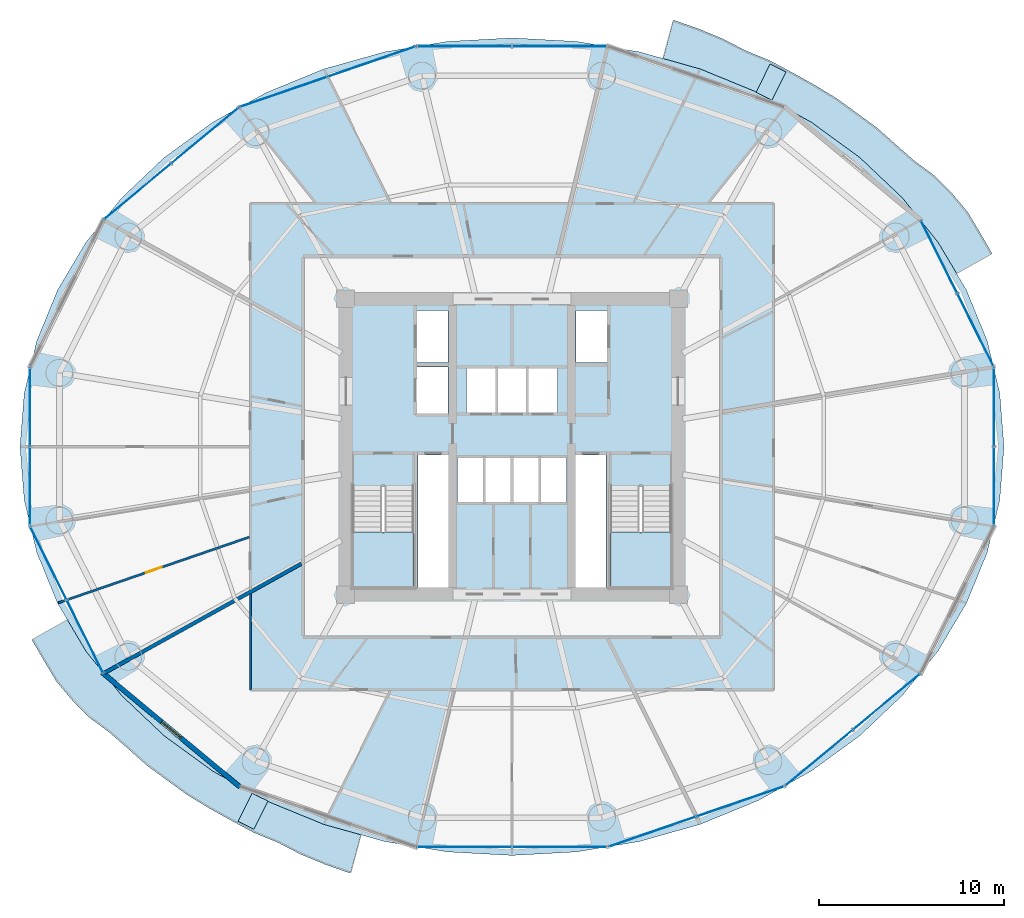
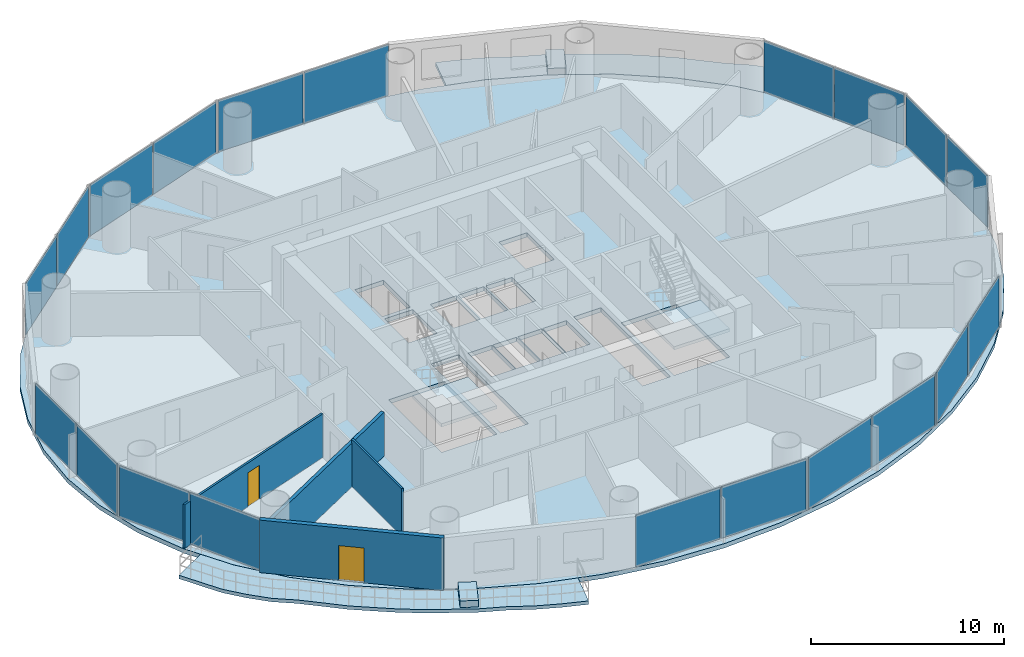
# One storey, part 20 of 28: 20 plates, 7 slabs, 4 walls, 2 doors, 2 openings, 12 elements without a shape of their own.
"""IFC4 building model written with IfcOpenShell, lengths in metres."""

from ifc_helpers import new_model, si_unit, direction, frame, frame_2d, origin, origin_2d, place, context, subcontext, project, spatial, polyline, rectangle, outline, extrude, source, transform, mapped, material, layer, layer_set, type_object, element, fill, aggregate, save


model = new_model("IFC4")

# Units and contexts
model_context = context("Model", 3, precision=1e-05, world=origin(), true_north=direction((-0.2419218956, 0.970295726276)))
body_context = subcontext(model_context, "Body", "Model", "MODEL_VIEW")
ifc_project = project(units=[si_unit("LENGTHUNIT", "METRE"), si_unit("AREAUNIT", "SQUARE_METRE"), si_unit("VOLUMEUNIT", "CUBIC_METRE"), si_unit("PLANEANGLEUNIT", "RADIAN"), si_unit("MASSUNIT", "GRAM", prefix="KILO")], contexts=[model_context])

# Site, building, storey
site_placement = place(None, origin())
site = spatial("IfcSite", under=ifc_project, at=site_placement, CompositionType="ELEMENT")
building_placement = place(site_placement, origin())
building = spatial("IfcBuilding", under=site, at=building_placement, Name="Cobrevalo Terracotta Tower", CompositionType="ELEMENT")
storey_placement = place(building_placement, frame((0.0, 0.0, 101.39990234375)))
storey = spatial("IfcBuildingStorey", under=building, at=storey_placement, Name="L26", CompositionType="ELEMENT", Elevation=101.39990234375)

# Stair, slab
ifc_material_1 = material(Name="Concrete C50", Category="concrete")
stair_type = type_object("IfcStairType", Name="Core protected escape dogleg stair 1600", PredefinedType="HALF_TURN_STAIR", material=ifc_material_1)
stair_1_placement = place(storey_placement, origin())
stair_1 = element("IfcStair", 1, at=stair_1_placement, inside=storey, type_object=stair_type, Name="L26 Protected exit stair ST-1", PredefinedType="HALF_TURN_STAIR")
ifc_layer_1 = layer(ifc_material_1, 0.199951171875)
ifc_layer_set_1 = layer_set([ifc_layer_1], Name="Concrete C50")
slab_type_1 = type_object("IfcSlabType", Name="Reinforced Concrete Stair Landing 200", PredefinedType="LANDING", material=ifc_layer_set_1)
slab_1_placement = place(storey_placement, frame((0.0, 0.0, 1.60009765625)))
slab_1 = element("IfcSlab", 2, at=slab_1_placement, type_object=slab_type_1, Name="ST-1 landing 1", PredefinedType="LANDING", context=body_context, shape_type="SweptSolid", body=[
    extrude(outline(polyline([(29.375, 22.179931640625), (29.375, 19.175048828125), (32.695068359375, 19.175048828125), (32.695068359375, 22.179931640625), (29.375, 22.179931640625)])), origin(), (0.0, 0.0, 1.0), 0.199951171875),
])
aggregate(stair_1, [slab_1])

stair_2_placement = place(storey_placement, origin())
stair_2 = element("IfcStair", 3, at=stair_2_placement, inside=storey, type_object=stair_type, Name="L26 Protected exit stair ST-2", PredefinedType="HALF_TURN_STAIR")
slab_2_placement = place(storey_placement, frame((0.0, 0.0, 1.60009765625)))
slab_2 = element("IfcSlab", 4, at=slab_2_placement, type_object=slab_type_1, Name="ST-2 landing 1", PredefinedType="LANDING", context=body_context, shape_type="SweptSolid", body=[
    extrude(outline(polyline([(43.304931640625, 22.179931640625), (43.304931640625, 19.175048828125), (46.625, 19.175048828125), (46.625, 22.179931640625), (43.304931640625, 22.179931640625)])), origin(), (0.0, 0.0, 1.0), 0.199951171875),
])
aggregate(stair_2, [slab_2])

# Slabs
ifc_material_2 = material(Name="Concrete C45", Category="concrete")
ifc_layer_2 = layer(ifc_material_2, 0.219970703125)
ifc_layer_set_2 = layer_set([ifc_layer_2], Name="Concrete C45")
slab_type_2 = type_object("IfcSlabType", Name="Spiralling cantilevered balcony lobe slab 220 mm", PredefinedType="FLOOR", material=ifc_layer_set_2)
slab_3_placement = place(storey_placement, frame((0.0, 0.0, -0.219970703125)))
element("IfcSlab", 5, at=slab_3_placement, inside=storey, type_object=slab_type_2, Name="L26 spiralling arc balcony slab lobe 1", PredefinedType="FLOOR", context=body_context, shape_type="SweptSolid", body=[
    extrude(outline(polyline([(63.964599609375, 37.22998046875), (63.310546875, 38.36083984375), (62.634033203125, 39.487060546875), (61.777099609375, 40.507568359375), (60.842529296875, 41.451171875), (59.752685546875, 42.255859375), (58.748779296875, 43.136962890625), (57.75146484375, 44.026123046875), (56.654052734375, 44.828857421875), (55.55517578125, 45.627197265625), (54.38330078125, 46.342529296875), (53.174072265625, 47.014404296875), (51.9541015625, 47.66748046875), (50.654541015625, 48.202880859375), (49.397705078125, 48.8515625), (48.082275390625, 49.3935546875), (46.72705078125, 49.868408203125), (46.16796875, 47.787109375), (48.18017578125, 47.219482421875), (51.301025390625, 45.94091796875), (54.1943359375, 44.334716796875), (56.810546875, 42.428466796875), (59.104736328125, 40.2548828125), (61.0380859375, 37.85107421875), (62.047607421875, 36.150146484375), (63.964599609375, 37.22998046875)])), origin(), (0.0, 0.0, 1.0), 0.219970703125),
])
slab_4_placement = place(storey_placement, frame((0.0, 0.0, -0.219970703125)))
element("IfcSlab", 6, at=slab_4_placement, inside=storey, type_object=slab_type_2, Name="L26 spiralling arc balcony slab lobe 2", PredefinedType="FLOOR", context=body_context, shape_type="SweptSolid", body=[
    extrude(outline(polyline([(12.035400390625, 16.369873046875), (12.689453125, 15.2392578125), (13.365966796875, 14.11279296875), (14.222900390625, 13.09228515625), (15.157470703125, 12.14892578125), (16.247314453125, 11.343994140625), (17.251220703125, 10.463134765625), (18.24853515625, 9.57373046875), (19.345947265625, 8.77099609375), (20.44482421875, 7.972900390625), (21.61669921875, 7.25732421875), (22.825927734375, 6.585693359375), (24.0458984375, 5.932373046875), (25.345458984375, 5.397216796875), (26.602294921875, 4.748291015625), (27.917724609375, 4.206298828125), (29.27294921875, 3.731689453125), (29.83203125, 5.81298828125), (27.81982421875, 6.38037109375), (24.698974609375, 7.6591796875), (21.8056640625, 9.265380859375), (19.189453125, 11.171630859375), (16.895263671875, 13.34521484375), (14.9619140625, 15.7490234375), (13.952392578125, 17.449951171875), (12.035400390625, 16.369873046875)])), origin(), (0.0, 0.0, 1.0), 0.219970703125),
])
ifc_material_3 = material(Name="Precast concrete C45", Category="concrete")
ifc_layer_3 = layer(ifc_material_3, 0.419921875)
ifc_layer_set_3 = layer_set([ifc_layer_3], Name="Precast concrete C45")
slab_type_3 = type_object("IfcSlabType", Name="Structural tree planter trough base 420 mm", PredefinedType="USERDEFINED", material=ifc_layer_set_3)
slab_5_placement = place(storey_placement, origin())
element("IfcSlab", 7, at=slab_5_placement, inside=storey, type_object=slab_type_3, Name="L26 structural tree planter trough 1", ObjectType="PLANTER", PredefinedType="USERDEFINED", context=body_context, shape_type="SweptSolid", body=[
    extrude(outline(polyline([(52.054931640625, 45.533935546875), (52.810546875, 47.056884765625), (51.950439453125, 47.4833984375), (51.195068359375, 45.960693359375), (52.054931640625, 45.533935546875)])), origin(), (0.0, 0.0, 1.0), 0.420166015625),
])
slab_6_placement = place(storey_placement, origin())
element("IfcSlab", 8, at=slab_6_placement, inside=storey, type_object=slab_type_3, Name="L26 structural tree planter trough 2", ObjectType="PLANTER", PredefinedType="USERDEFINED", context=body_context, shape_type="SweptSolid", body=[
    extrude(outline(polyline([(23.945068359375, 8.066162109375), (23.189453125, 6.543212890625), (24.049560546875, 6.116455078125), (24.804931640625, 7.639404296875), (23.945068359375, 8.066162109375)])), origin(), (0.0, 0.0, 1.0), 0.420166015625),
])
ifc_layer_4 = layer(ifc_material_1, 0.27490234375)
ifc_layer_set_4 = layer_set([ifc_layer_4], Name="Concrete C50")
slab_type_4 = type_object("IfcSlabType", Name="Zone Z2 elliptical floor plate 275 mm", PredefinedType="FLOOR", material=ifc_layer_set_4)
slab_7_placement = place(storey_placement, frame((0.0, 0.0, -0.27490234375)))
element("IfcSlab", 9, at=slab_7_placement, inside=storey, type_object=slab_type_4, Name="L26 indoor elliptical floor slab", PredefinedType="FLOOR", context=body_context, shape_type="SweptSolid", body=[
    extrude(outline(polyline([(64.372314453125, 23.915283203125), (63.693603515625, 21.080078125), (62.5751953125, 18.3427734375), (61.036376953125, 15.75), (59.103271484375, 13.346435546875), (56.80908203125, 11.1728515625), (54.193115234375, 9.266845703125), (51.300048828125, 7.660888671875), (48.179443359375, 6.38232421875), (44.884521484375, 5.453125), (41.471923828125, 4.88916015625), (38.0, 4.699951171875), (34.528076171875, 4.88916015625), (31.115478515625, 5.453125), (27.820556640625, 6.38232421875), (24.699951171875, 7.660888671875), (21.806884765625, 9.266845703125), (19.19091796875, 11.1728515625), (16.896728515625, 13.346435546875), (14.963623046875, 15.75), (13.4248046875, 18.3427734375), (12.306396484375, 21.080078125), (11.627685546875, 23.915283203125), (11.39990234375, 26.800048828125), (11.627685546875, 29.6845703125), (12.306396484375, 32.52001953125), (13.4248046875, 35.25732421875), (14.963623046875, 37.85009765625), (16.896728515625, 40.253662109375), (19.19091796875, 42.427001953125), (21.806884765625, 44.3330078125), (24.699951171875, 45.939208984375), (27.820556640625, 47.2177734375), (31.115478515625, 48.14697265625), (34.528076171875, 48.7109375), (38.0, 48.89990234375), (41.471923828125, 48.7109375), (44.884521484375, 48.14697265625), (48.179443359375, 47.2177734375), (51.300048828125, 45.939208984375), (54.193115234375, 44.3330078125), (56.80908203125, 42.427001953125), (59.103271484375, 40.253662109375), (61.036376953125, 37.85009765625), (62.5751953125, 35.25732421875), (63.693603515625, 32.52001953125), (64.372314453125, 29.6845703125), (64.60009765625, 26.800048828125), (64.372314453125, 23.915283203125)]), holes=[polyline([(32.695068359375, 19.175048828125), (32.695068359375, 24.659912109375), (29.375, 24.659912109375), (29.375, 19.175048828125), (32.695068359375, 19.175048828125)]), polyline([(34.574951171875, 19.175048828125), (34.574951171875, 26.360107421875), (32.919921875, 26.360107421875), (32.919921875, 19.175048828125), (34.574951171875, 19.175048828125)]), polyline([(36.47998046875, 23.800048828125), (36.47998046875, 26.25), (35.050048828125, 26.25), (35.050048828125, 23.800048828125), (36.47998046875, 23.800048828125)]), polyline([(37.9599609375, 23.800048828125), (37.9599609375, 26.25), (36.530029296875, 26.25), (36.530029296875, 23.800048828125), (37.9599609375, 23.800048828125)]), polyline([(37.1201171875, 28.60009765625), (37.1201171875, 31.050048828125), (35.550048828125, 31.050048828125), (35.550048828125, 28.60009765625), (37.1201171875, 28.60009765625)]), polyline([(34.550048828125, 28.60009765625), (34.550048828125, 31.10009765625), (32.85009765625, 31.10009765625), (32.85009765625, 28.60009765625), (34.550048828125, 28.60009765625)]), polyline([(34.550048828125, 31.35009765625), (34.550048828125, 34.14990234375), (32.85009765625, 34.14990234375), (32.85009765625, 31.35009765625), (34.550048828125, 31.35009765625)]), polyline([(46.625, 19.175048828125), (46.625, 24.659912109375), (43.304931640625, 24.659912109375), (43.304931640625, 19.175048828125), (46.625, 19.175048828125)]), polyline([(43.080078125, 19.175048828125), (43.080078125, 26.360107421875), (41.425048828125, 26.360107421875), (41.425048828125, 19.175048828125), (43.080078125, 19.175048828125)]), polyline([(39.469970703125, 23.800048828125), (39.469970703125, 26.25), (38.0400390625, 26.25), (38.0400390625, 23.800048828125), (39.469970703125, 23.800048828125)]), polyline([(40.949951171875, 23.800048828125), (40.949951171875, 26.25), (39.52001953125, 26.25), (39.52001953125, 23.800048828125), (40.949951171875, 23.800048828125)]), polyline([(38.780029296875, 28.60009765625), (38.780029296875, 31.050048828125), (37.219970703125, 31.050048828125), (37.219970703125, 28.60009765625), (38.780029296875, 28.60009765625)]), polyline([(40.449951171875, 28.60009765625), (40.449951171875, 31.050048828125), (38.8798828125, 31.050048828125), (38.8798828125, 28.60009765625), (40.449951171875, 28.60009765625)]), polyline([(43.14990234375, 31.35009765625), (43.14990234375, 34.14990234375), (41.449951171875, 34.14990234375), (41.449951171875, 31.35009765625), (43.14990234375, 31.35009765625)])]), origin(), (0.0, 0.0, 1.0), 0.27490234375),
])

# Curtain wall, plates
ifc_material_4 = material(Name="Anodized aluminium", Category="aluminium")
curtain_wall_type = type_object("IfcCurtainWallType", Name="Lower-tower unitised acoustic low-E curtain wall CW-U1", PredefinedType="NOTDEFINED", material=ifc_material_4)
curtain_wall_1_placement = place(storey_placement, origin())
curtain_wall_1 = element("IfcCurtainWall", 10, at=curtain_wall_1_placement, inside=storey, type_object=curtain_wall_type, Name="L26 curtain wall CW-L26-S05", PredefinedType="NOTDEFINED")
ifc_material_5 = material(Name="Solar-control low-E double glazing", Category="glass")
ifc_layer_5 = layer(ifc_material_5, 0.028076171875)
ifc_layer_set_5 = layer_set([ifc_layer_5], Name="Solar-control low-E double glazing")
plate_type = type_object("IfcPlateType", Name="Tower solar-control low-E vision glass panel 28 mm", PredefinedType="CURTAIN_PANEL", material=ifc_layer_set_5)
shared_shape_1 = source(origin(), body_context, "Body", "SweptSolid", [
    extrude(rectangle(XDim=4.944580078125, YDim=0.035888671875, at=origin_2d()), origin(), (0.0, 0.0, 1.0), 3.2451171875),
])
plate_1_placement = place(storey_placement, frame((30.403076171875, 47.615478515625, 0.0400390625), z_axis=(0.0, 0.0, 1.0), x_axis=(-0.945596395206, -0.325342062104, 0.0)))
plate_1 = element("IfcPlate", 11, at=plate_1_placement, type_object=plate_type, Name="CW-L26-S05 glazing panel B01", PredefinedType="CURTAIN_PANEL", context=body_context, shape_type="MappedRepresentation", body=[
    mapped(shared_shape_1, transform((0.0, 0.0, 0.0), scale=1.0)),
])
plate_2_placement = place(storey_placement, frame((25.65185546875, 45.98095703125, 0.0400390625), z_axis=(0.0, 0.0, 1.0), x_axis=(-0.945596395206, -0.325342062104, 0.0)))
plate_2 = element("IfcPlate", 12, at=plate_2_placement, type_object=plate_type, Name="CW-L26-S05 glazing panel B02", PredefinedType="CURTAIN_PANEL", context=body_context, shape_type="MappedRepresentation", body=[
    mapped(shared_shape_1, transform((0.0, 0.0, 0.0), scale=1.0)),
])
aggregate(curtain_wall_1, [plate_1, plate_2])

curtain_wall_2_placement = place(storey_placement, origin())
curtain_wall_2 = element("IfcCurtainWall", 13, at=curtain_wall_2_placement, inside=storey, type_object=curtain_wall_type, Name="L26 curtain wall CW-L26-S13", PredefinedType="NOTDEFINED")
plate_3_placement = place(storey_placement, frame((45.596923828125, 5.984375, 0.0400390625), z_axis=(0.0, 0.0, 1.0), x_axis=(0.945596395206, 0.325342062104, 0.0)))
plate_3 = element("IfcPlate", 14, at=plate_3_placement, type_object=plate_type, Name="CW-L26-S13 glazing panel B01", PredefinedType="CURTAIN_PANEL", context=body_context, shape_type="MappedRepresentation", body=[
    mapped(shared_shape_1, transform((0.0, 0.0, 0.0), scale=1.0)),
])
plate_4_placement = place(storey_placement, frame((50.34814453125, 7.619140625, 0.0400390625), z_axis=(0.0, 0.0, 1.0), x_axis=(0.945596395206, 0.325342062104, 0.0)))
plate_4 = element("IfcPlate", 15, at=plate_4_placement, type_object=plate_type, Name="CW-L26-S13 glazing panel B02", PredefinedType="CURTAIN_PANEL", context=body_context, shape_type="MappedRepresentation", body=[
    mapped(shared_shape_1, transform((0.0, 0.0, 0.0), scale=1.0)),
])
aggregate(curtain_wall_2, [plate_3, plate_4])

curtain_wall_3_placement = place(storey_placement, origin())
curtain_wall_3 = element("IfcCurtainWall", 16, at=curtain_wall_3_placement, inside=storey, type_object=curtain_wall_type, Name="L26 curtain wall CW-L26-S04", PredefinedType="NOTDEFINED")
shared_shape_2 = source(origin(), body_context, "Body", "SweptSolid", [
    extrude(rectangle(XDim=5.0634765625, YDim=0.035888671875, at=origin_2d()), origin(), (0.0, 0.0, 1.0), 3.2451171875),
])
plate_5_placement = place(storey_placement, frame((40.57177734375, 48.446044921875, 0.0400390625), z_axis=(0.0, 0.0, 1.0), x_axis=(-1.0, 0.0, 0.0)))
plate_5 = element("IfcPlate", 17, at=plate_5_placement, type_object=plate_type, Name="CW-L26-S04 glazing panel B01", PredefinedType="CURTAIN_PANEL", context=body_context, shape_type="MappedRepresentation", body=[
    mapped(shared_shape_2, transform((0.0, 0.0, 0.0), scale=1.0)),
])
plate_6_placement = place(storey_placement, frame((35.42822265625, 48.446044921875, 0.0400390625), z_axis=(0.0, 0.0, 1.0), x_axis=(-1.0, 0.0, 0.0)))
plate_6 = element("IfcPlate", 18, at=plate_6_placement, type_object=plate_type, Name="CW-L26-S04 glazing panel B02", PredefinedType="CURTAIN_PANEL", context=body_context, shape_type="MappedRepresentation", body=[
    mapped(shared_shape_2, transform((0.0, 0.0, 0.0), scale=1.0)),
])
aggregate(curtain_wall_3, [plate_5, plate_6])

curtain_wall_4_placement = place(storey_placement, origin())
curtain_wall_4 = element("IfcCurtainWall", 19, at=curtain_wall_4_placement, inside=storey, type_object=curtain_wall_type, Name="L26 curtain wall CW-L26-S12", PredefinedType="NOTDEFINED")
plate_7_placement = place(storey_placement, frame((35.42822265625, 5.154052734375, 0.0400390625), z_axis=(0.0, 0.0, 1.0), x_axis=(1.0, 0.0, 0.0)))
plate_7 = element("IfcPlate", 20, at=plate_7_placement, type_object=plate_type, Name="CW-L26-S12 glazing panel B01", PredefinedType="CURTAIN_PANEL", context=body_context, shape_type="MappedRepresentation", body=[
    mapped(shared_shape_2, transform((0.0, 0.0, 0.0), scale=1.0)),
])
plate_8_placement = place(storey_placement, frame((40.57177734375, 5.154052734375, 0.0400390625), z_axis=(0.0, 0.0, 1.0), x_axis=(1.0, 0.0, 0.0)))
plate_8 = element("IfcPlate", 21, at=plate_8_placement, type_object=plate_type, Name="CW-L26-S12 glazing panel B02", PredefinedType="CURTAIN_PANEL", context=body_context, shape_type="MappedRepresentation", body=[
    mapped(shared_shape_2, transform((0.0, 0.0, 0.0), scale=1.0)),
])
aggregate(curtain_wall_4, [plate_7, plate_8])

curtain_wall_5_placement = place(storey_placement, origin())
curtain_wall_5 = element("IfcCurtainWall", 22, at=curtain_wall_5_placement, inside=storey, type_object=curtain_wall_type, Name="L26 curtain wall CW-L26-S06", PredefinedType="NOTDEFINED")
shared_shape_3 = source(origin(), body_context, "Body", "SweptSolid", [
    extrude(rectangle(XDim=4.64501953125, YDim=0.035888671875, at=origin_2d()), origin(), (0.0, 0.0, 1.0), 3.2451171875),
])
plate_9_placement = place(storey_placement, frame((21.390380859375, 43.615478515625, 0.0400390625), z_axis=(0.0, 0.0, 1.0), x_axis=(-0.769241221277, -0.638958483384, 0.0)))
plate_9 = element("IfcPlate", 23, at=plate_9_placement, type_object=plate_type, Name="CW-L26-S06 glazing panel B01", PredefinedType="CURTAIN_PANEL", context=body_context, shape_type="MappedRepresentation", body=[
    mapped(shared_shape_3, transform((0.0, 0.0, 0.0), scale=1.0)),
])
plate_10_placement = place(storey_placement, frame((17.755859375, 40.596435546875, 0.0400390625), z_axis=(0.0, 0.0, 1.0), x_axis=(-0.769241221277, -0.638958483384, 0.0)))
plate_10 = element("IfcPlate", 24, at=plate_10_placement, type_object=plate_type, Name="CW-L26-S06 glazing panel B02", PredefinedType="CURTAIN_PANEL", context=body_context, shape_type="MappedRepresentation", body=[
    mapped(shared_shape_3, transform((0.0, 0.0, 0.0), scale=1.0)),
])
aggregate(curtain_wall_5, [plate_9, plate_10])

curtain_wall_6_placement = place(storey_placement, origin())
curtain_wall_6 = element("IfcCurtainWall", 25, at=curtain_wall_6_placement, inside=storey, type_object=curtain_wall_type, Name="L26 curtain wall CW-L26-S14", PredefinedType="NOTDEFINED")
plate_11_placement = place(storey_placement, frame((54.609619140625, 9.984619140625, 0.0400390625), z_axis=(0.0, 0.0, 1.0), x_axis=(0.769241221277, 0.638958483384, 0.0)))
plate_11 = element("IfcPlate", 26, at=plate_11_placement, type_object=plate_type, Name="CW-L26-S14 glazing panel B01", PredefinedType="CURTAIN_PANEL", context=body_context, shape_type="MappedRepresentation", body=[
    mapped(shared_shape_3, transform((0.0, 0.0, 0.0), scale=1.0)),
])
plate_12_placement = place(storey_placement, frame((58.244140625, 13.00341796875, 0.0400390625), z_axis=(0.0, 0.0, 1.0), x_axis=(0.769241221277, 0.638958483384, 0.0)))
plate_12 = element("IfcPlate", 27, at=plate_12_placement, type_object=plate_type, Name="CW-L26-S14 glazing panel B02", PredefinedType="CURTAIN_PANEL", context=body_context, shape_type="MappedRepresentation", body=[
    mapped(shared_shape_3, transform((0.0, 0.0, 0.0), scale=1.0)),
])
aggregate(curtain_wall_6, [plate_11, plate_12])

curtain_wall_7_placement = place(storey_placement, origin())
curtain_wall_7 = element("IfcCurtainWall", 28, at=curtain_wall_7_placement, inside=storey, type_object=curtain_wall_type, Name="L26 curtain wall CW-L26-S01", PredefinedType="NOTDEFINED")
shared_shape_4 = source(origin(), body_context, "Body", "SweptSolid", [
    extrude(rectangle(XDim=4.3251953125, YDim=0.035888671875, at=origin_2d()), origin(), (0.0, 0.0, 1.0), 3.2451171875),
])
plate_13_placement = place(storey_placement, frame((63.05859375, 33.112548828125, 0.0400390625), z_axis=(0.0, 0.0, 1.0), x_axis=(-0.446261852127, 0.894902430065, 0.0)))
plate_13 = element("IfcPlate", 29, at=plate_13_placement, type_object=plate_type, Name="CW-L26-S01 glazing panel B01", PredefinedType="CURTAIN_PANEL", context=body_context, shape_type="MappedRepresentation", body=[
    mapped(shared_shape_4, transform((0.0, 0.0, 0.0), scale=1.0)),
])
plate_14_placement = place(storey_placement, frame((61.093017578125, 37.0546875, 0.0400390625), z_axis=(0.0, 0.0, 1.0), x_axis=(-0.446261852127, 0.894902430065, 0.0)))
plate_14 = element("IfcPlate", 30, at=plate_14_placement, type_object=plate_type, Name="CW-L26-S01 glazing panel B02", PredefinedType="CURTAIN_PANEL", context=body_context, shape_type="MappedRepresentation", body=[
    mapped(shared_shape_4, transform((0.0, 0.0, 0.0), scale=1.0)),
])
aggregate(curtain_wall_7, [plate_13, plate_14])

curtain_wall_8_placement = place(storey_placement, origin())
curtain_wall_8 = element("IfcCurtainWall", 31, at=curtain_wall_8_placement, inside=storey, type_object=curtain_wall_type, Name="L26 curtain wall CW-L26-S09", PredefinedType="NOTDEFINED")
plate_15_placement = place(storey_placement, frame((12.94140625, 20.487548828125, 0.0400390625), z_axis=(0.0, 0.0, 1.0), x_axis=(0.446261852127, -0.894902430065, 0.0)))
plate_15 = element("IfcPlate", 32, at=plate_15_placement, type_object=plate_type, Name="CW-L26-S09 glazing panel B01", PredefinedType="CURTAIN_PANEL", context=body_context, shape_type="MappedRepresentation", body=[
    mapped(shared_shape_4, transform((0.0, 0.0, 0.0), scale=1.0)),
])
plate_16_placement = place(storey_placement, frame((14.906982421875, 16.54541015625, 0.0400390625), z_axis=(0.0, 0.0, 1.0), x_axis=(0.446261852127, -0.894902430065, 0.0)))
plate_16 = element("IfcPlate", 33, at=plate_16_placement, type_object=plate_type, Name="CW-L26-S09 glazing panel B02", PredefinedType="CURTAIN_PANEL", context=body_context, shape_type="MappedRepresentation", body=[
    mapped(shared_shape_4, transform((0.0, 0.0, 0.0), scale=1.0)),
])
aggregate(curtain_wall_8, [plate_15, plate_16])

curtain_wall_9_placement = place(storey_placement, origin())
curtain_wall_9 = element("IfcCurtainWall", 34, at=curtain_wall_9_placement, inside=storey, type_object=curtain_wall_type, Name="L26 curtain wall CW-L26-S08", PredefinedType="NOTDEFINED")
shared_shape_5 = source(origin(), body_context, "Body", "SweptSolid", [
    extrude(rectangle(XDim=4.185546875, YDim=0.035888671875, at=origin_2d()), origin(), (0.0, 0.0, 1.0), 3.2451171875),
])
plate_17_placement = place(storey_placement, frame((11.9404296875, 28.932861328125, 0.0400390625), z_axis=(0.0, 0.0, 1.0), x_axis=(0.0, -1.0, 0.0)))
plate_17 = element("IfcPlate", 35, at=plate_17_placement, type_object=plate_type, Name="CW-L26-S08 glazing panel B01", PredefinedType="CURTAIN_PANEL", context=body_context, shape_type="MappedRepresentation", body=[
    mapped(shared_shape_5, transform((0.0, 0.0, 0.0), scale=1.0)),
])
plate_18_placement = place(storey_placement, frame((11.9404296875, 24.667236328125, 0.0400390625), z_axis=(0.0, 0.0, 1.0), x_axis=(0.0, -1.0, 0.0)))
plate_18 = element("IfcPlate", 36, at=plate_18_placement, type_object=plate_type, Name="CW-L26-S08 glazing panel B02", PredefinedType="CURTAIN_PANEL", context=body_context, shape_type="MappedRepresentation", body=[
    mapped(shared_shape_5, transform((0.0, 0.0, 0.0), scale=1.0)),
])
aggregate(curtain_wall_9, [plate_17, plate_18])

curtain_wall_10_placement = place(storey_placement, origin())
curtain_wall_10 = element("IfcCurtainWall", 37, at=curtain_wall_10_placement, inside=storey, type_object=curtain_wall_type, Name="L26 curtain wall CW-L26-S16", PredefinedType="NOTDEFINED")
plate_19_placement = place(storey_placement, frame((64.0595703125, 24.667236328125, 0.0400390625), z_axis=(0.0, 0.0, 1.0), x_axis=(0.0, 1.0, 0.0)))
plate_19 = element("IfcPlate", 38, at=plate_19_placement, type_object=plate_type, Name="CW-L26-S16 glazing panel B01", PredefinedType="CURTAIN_PANEL", context=body_context, shape_type="MappedRepresentation", body=[
    mapped(shared_shape_5, transform((0.0, 0.0, 0.0), scale=1.0)),
])
plate_20_placement = place(storey_placement, frame((64.0595703125, 28.932861328125, 0.0400390625), z_axis=(0.0, 0.0, 1.0), x_axis=(0.0, 1.0, 0.0)))
plate_20 = element("IfcPlate", 39, at=plate_20_placement, type_object=plate_type, Name="CW-L26-S16 glazing panel B02", PredefinedType="CURTAIN_PANEL", context=body_context, shape_type="MappedRepresentation", body=[
    mapped(shared_shape_5, transform((0.0, 0.0, 0.0), scale=1.0)),
])
aggregate(curtain_wall_10, [plate_19, plate_20])

# Wall
ifc_material_6 = material(Name="Autoclaved aerated concrete block", Category="concrete")
ifc_layer_6 = layer(ifc_material_6, 0.199951171875)
ifc_layer_set_6 = layer_set([ifc_layer_6], Name="Autoclaved aerated concrete block")
wall_type_1 = type_object("IfcWallType", Name="Fire-rated stair, shaft & demising masonry wall 200 mm", PredefinedType="PARTITIONING", material=ifc_layer_set_6)
wall_1_placement = place(storey_placement, frame((26.614990234375, 20.479736328125, 0.0), z_axis=(0.0, 0.0, 1.0), x_axis=(-0.874310671773, -0.48536671623, 0.0)))
element("IfcWall", 40, at=wall_1_placement, inside=storey, type_object=wall_type_1, Name="L26 interior partition IW-L26-DEM-4", PredefinedType="PARTITIONING", context=body_context, shape_type="SweptSolid", body=[
    extrude(rectangle(XDim=12.15869140625, YDim=0.199951171875, at=frame_2d((6.079345703125, 0.0))), origin(), (0.0, 0.0, 1.0), 2.76708984375),
])

# Wall, opening, door
ifc_layer_7 = layer(ifc_material_6, 0.260009765625)
ifc_layer_set_7 = layer_set([ifc_layer_7], Name="Autoclaved aerated concrete block")
wall_type_2 = type_object("IfcWallType", Name="Recessed balcony loggia insulated exterior wall 260 mm", PredefinedType="SOLIDWALL", material=ifc_layer_set_7)
wall_2_placement = place(storey_placement, frame((15.84619140625, 14.589599609375, 0.0), z_axis=(0.0, 0.0, 1.0), x_axis=(0.769254958887, -0.638941944333, 0.0)))
wall_2 = element("IfcWall", 41, at=wall_2_placement, inside=storey, type_object=wall_type_2, Name="L26 balcony loggia wall S10", PredefinedType="SOLIDWALL", context=body_context, shape_type="SweptSolid", body=[
    extrude(rectangle(XDim=9.689697265625, YDim=0.260009765625, at=frame_2d((4.8447265625, 0.0))), origin(), (0.0, 0.0, 1.0), 3.3251953125),
])
opening_1_placement = place(wall_2_placement, frame((4.169921875, 0.0, 0.0)))
opening_1 = element("IfcOpeningElement", 42, at=opening_1_placement, cuts=wall_2, Name="Opening ED-05", PredefinedType="OPENING", context=body_context, shape_type="SweptSolid", body=[
    extrude(rectangle(XDim=1.35009765625, YDim=2.199951171875, at=frame_2d((0.675048828125, 1.10009765625))), frame((0.0, 0.14013671875, 0.0), z_axis=(0.0, -1.0, 0.0), x_axis=(1.0, 0.0, 0.0)), (0.0, 0.0, 1.0), 0.280029296875),
])
ifc_material_7 = material(Name="Anodized aluminium and laminated glass", Category="aluminium")
door_type_1 = type_object("IfcDoorType", Name="Suite balcony acoustic glazed terrace door 1350x2200", OperationType="NOTDEFINED", PredefinedType="DOOR", material=ifc_material_7)
shared_shape_6 = source(origin(), body_context, "Body", "SweptSolid", [
    extrude(rectangle(XDim=1.35009765625, YDim=2.199951171875, at=frame_2d((0.675048828125, 1.10009765625))), frame((0.0, 0.02490234375, 0.0), z_axis=(0.0, -1.0, 0.0), x_axis=(1.0, 0.0, 0.0)), (0.0, 0.0, 1.0), 0.050048828125),
])
door_1_placement = place(opening_1_placement, frame((1.35009765625, 0.0, 0.0), z_axis=(0.0, 0.0, 1.0), x_axis=(-1.0, 0.0, 0.0)))
door_1 = element("IfcDoor", 43, at=door_1_placement, inside=storey, type_object=door_type_1, Name="L26 glazed balcony terrace door 2", OperationType="SINGLE_SWING_RIGHT", OverallHeight=2.199951171875, OverallWidth=1.35009765625, PredefinedType="DOOR", context=body_context, shape_type="MappedRepresentation", body=[
    mapped(shared_shape_6, transform((0.0, 0.0, 0.0), scale=1.0)),
])
fill(opening_1, door_1)

ifc_material_8 = material(Name="Gypsum board on steel stud", Category="steel")
ifc_layer_8 = layer(ifc_material_8, 0.1201171875)
ifc_layer_set_8 = layer_set([ifc_layer_8], Name="Gypsum board on steel stud")
wall_type_3 = type_object("IfcWallType", Name="Residential internal acoustic stud partition 120 mm", PredefinedType="PARTITIONING", material=ifc_layer_set_8)
wall_3_placement = place(storey_placement, frame((23.79638671875, 21.911865234375, 0.0), z_axis=(0.0, 0.0, 1.0), x_axis=(-0.945574063861, -0.325406960209, 0.0)))
wall_3 = element("IfcWall", 44, at=wall_3_placement, inside=storey, type_object=wall_type_3, Name="L26 interior partition IW-L26-U3-ORAD3M1", PredefinedType="PARTITIONING", context=body_context, shape_type="SweptSolid", body=[
    extrude(rectangle(XDim=10.90576171875, YDim=0.1201171875, at=frame_2d((5.452880859375, 0.0))), origin(), (0.0, 0.0, 1.0), 2.76708984375),
])
opening_2_placement = place(wall_3_placement, frame((5.0029296875, 0.0, 0.0)))
opening_2 = element("IfcOpeningElement", 45, at=opening_2_placement, cuts=wall_3, Name="Opening ID-12", PredefinedType="OPENING", context=body_context, shape_type="SweptSolid", body=[
    extrude(rectangle(XDim=0.89990234375, YDim=2.14990234375, at=frame_2d((0.449951171875, 1.074951171875))), frame((0.0, 0.070068359375, 0.0), z_axis=(0.0, -1.0, 0.0), x_axis=(1.0, 0.0, 0.0)), (0.0, 0.0, 1.0), 0.14013671875),
])
ifc_material_9 = material(Name="Engineered timber", Category="wood")
door_type_2 = type_object("IfcDoorType", Name="Internal residence & suite timber door 900x2150", OperationType="NOTDEFINED", PredefinedType="DOOR", material=ifc_material_9)
shared_shape_7 = source(origin(), body_context, "Body", "SweptSolid", [
    extrude(rectangle(XDim=0.89990234375, YDim=2.14990234375, at=frame_2d((0.449951171875, 1.074951171875))), frame((0.0, 0.02490234375, 0.0), z_axis=(0.0, -1.0, 0.0), x_axis=(1.0, 0.0, 0.0)), (0.0, 0.0, 1.0), 0.050048828125),
])
door_2_placement = place(opening_2_placement, frame((0.89990234375, 0.0, 0.0), z_axis=(0.0, 0.0, 1.0), x_axis=(-1.0, 0.0, 0.0)))
door_2 = element("IfcDoor", 46, at=door_2_placement, inside=storey, type_object=door_type_2, Name="Flat L26C Principal Guest Bedroom internal door", OperationType="SINGLE_SWING_LEFT", OverallHeight=2.14990234375, OverallWidth=0.89990234375, PredefinedType="DOOR", context=body_context, shape_type="MappedRepresentation", body=[
    mapped(shared_shape_7, transform((0.0, 0.0, 0.0), scale=1.0)),
])
fill(opening_2, door_2)

# Wall
wall_4_placement = place(storey_placement, frame((23.85498046875, 13.655029296875, 0.0), z_axis=(0.0, 0.0, 1.0), x_axis=(0.0, 1.0, 0.0)))
element("IfcWall", 47, at=wall_4_placement, inside=storey, type_object=wall_type_3, Name="L26 interior partition IW-L26-U4-RING1_0", PredefinedType="PARTITIONING", context=body_context, shape_type="SweptSolid", body=[
    extrude(rectangle(XDim=5.1904296875, YDim=0.1201171875, at=frame_2d((2.59521484375, 0.0))), origin(), (0.0, 0.0, 1.0), 3.004150390625),
])

save(model, "model.ifc")
